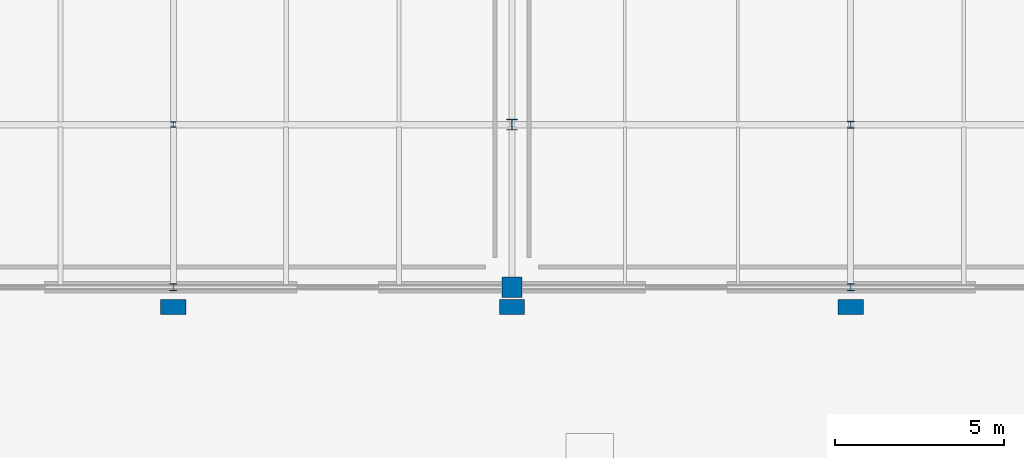
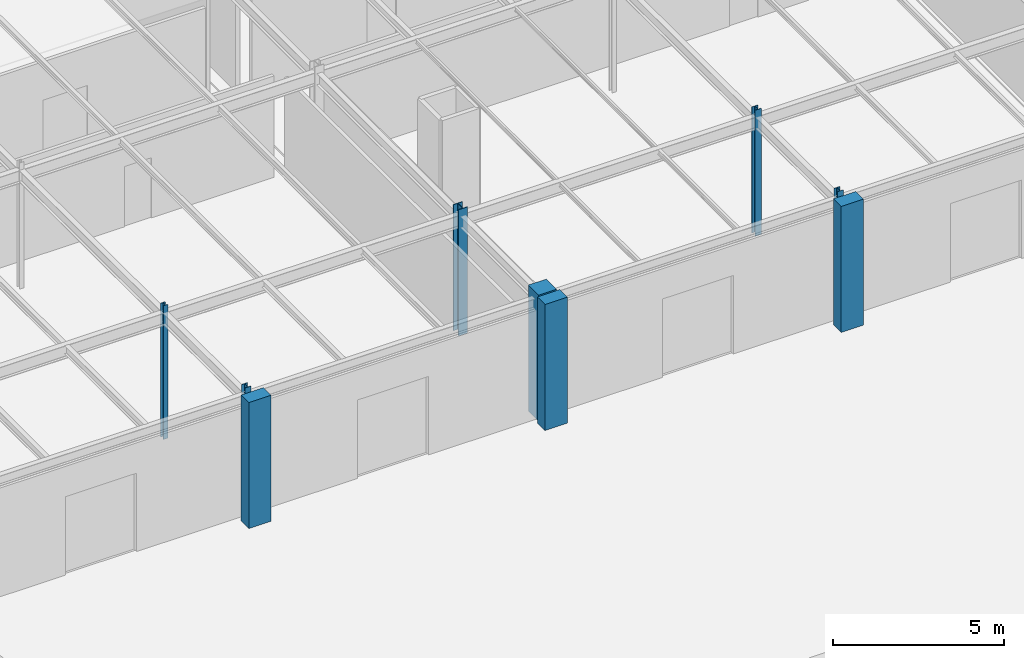
# One storey, part 20 of 119: 9 columns.
"""IFC4 building model written with IfcOpenShell, lengths in metres."""

from ifc_helpers import new_model, si_unit, derived_unit, direction, frame, origin, origin_2d_with_axis, place, context, subcontext, project, spatial, rectangle, i_section, extrude, material, material_profile, profile_set, type_object, element, save


model = new_model("IFC4")

# Units and contexts
model_context = context("Model", 3, precision=1e-05, world=origin(), true_north=direction((0.0, 1.0)))
body_context = subcontext(model_context, "Body", "Model", "MODEL_VIEW")
ifc_project = project(units=[si_unit("LENGTHUNIT", "METRE"), si_unit("AREAUNIT", "SQUARE_METRE"), si_unit("VOLUMEUNIT", "CUBIC_METRE"), si_unit("PLANEANGLEUNIT", "RADIAN"), si_unit("MASSUNIT", "GRAM", prefix="KILO"), derived_unit("THERMALTRANSMITTANCEUNIT", [(si_unit("POWERUNIT", "WATT"), 1), (si_unit("LENGTHUNIT", "METRE"), -2), (si_unit("THERMODYNAMICTEMPERATUREUNIT", "KELVIN"), -1)])], contexts=[model_context])

# Site, building, storey
site_placement = place(None, origin())
site = spatial("IfcSite", under=ifc_project, at=site_placement, CompositionType="ELEMENT")
building_placement = place(site_placement, origin())
building = spatial("IfcBuilding", under=site, at=building_placement, Name="Cinnabar Yard Market Hall", CompositionType="ELEMENT")
storey_placement = place(building_placement, origin())
storey = spatial("IfcBuildingStorey", under=building, at=storey_placement, Name="L00", CompositionType="ELEMENT", Elevation=0.0)

# Columns
ifc_material_1 = material(Name="Steel Grade 350 (350 MPa)", Category="steel")
ifc_material_profile_1 = material_profile(ifc_material_1, i_section(OverallWidth=0.311279296875, OverallDepth=0.3271484375, WebThickness=0.015625, FlangeThickness=0.02490234375, FilletRadius=0.0166015625, at=origin_2d_with_axis()), Name="310UC158")
ifc_profile_set_1 = profile_set([ifc_material_profile_1], Name="Steel Grade 350 (350 MPa)")
column_type_1 = type_object("IfcColumnType", Name="COL-C06", PredefinedType="COLUMN", material=ifc_profile_set_1)
column_1_placement = place(storey_placement, frame((86.0, 112.800048828125, 0.0), z_axis=(0.0, 0.0, 1.0), x_axis=(1.0, 0.0, 0.0)))
element("IfcColumn", 1, at=column_1_placement, inside=storey, type_object=column_type_1, Name="Wing Column V3-03-02 L00", PredefinedType="COLUMN", context=body_context, shape_type="SweptSolid", body=[
    extrude(i_section(OverallWidth=0.311279296875, OverallDepth=0.3271484375, WebThickness=0.015625, FlangeThickness=0.02490234375, FilletRadius=0.0166015625, at=origin_2d_with_axis()), origin(), (0.0, 0.0, 1.0), 4.5),
])
ifc_material_2 = material(Name="Steel Grade 300 (300 MPa)", Category="steel")
ifc_material_profile_2 = material_profile(ifc_material_2, i_section(OverallWidth=0.203369140625, OverallDepth=0.203369140625, WebThickness=0.00732421875, FlangeThickness=0.010986328125, FilletRadius=0.011474609375, at=origin_2d_with_axis()), Name="200UC46.2")
ifc_profile_set_2 = profile_set([ifc_material_profile_2], Name="Steel Grade 300 (300 MPa)")
column_type_2 = type_object("IfcColumnType", Name="COL-C13E", PredefinedType="COLUMN", material=ifc_profile_set_2)
column_2_placement = place(storey_placement, frame((96.0, 108.0, 0.0), z_axis=(0.0, 0.0, 1.0), x_axis=(1.0, 0.0, 0.0)))
element("IfcColumn", 2, at=column_2_placement, inside=storey, type_object=column_type_2, Name="Wing Column V3-04-01 L00", PredefinedType="COLUMN", context=body_context, shape_type="SweptSolid", body=[
    extrude(i_section(OverallWidth=0.203369140625, OverallDepth=0.203369140625, WebThickness=0.00732421875, FlangeThickness=0.010986328125, FilletRadius=0.011474609375, at=origin_2d_with_axis()), origin(), (0.0, 0.0, 1.0), 4.5),
])
ifc_material_profile_3 = material_profile(ifc_material_2, i_section(OverallWidth=0.205078125, OverallDepth=0.209716796875, WebThickness=0.00927734375, FlangeThickness=0.01416015625, FilletRadius=0.011474609375, at=origin_2d_with_axis()), Name="200UC59.5")
ifc_profile_set_3 = profile_set([ifc_material_profile_3], Name="Steel Grade 300 (300 MPa)")
column_type_3 = type_object("IfcColumnType", Name="COL-C17", PredefinedType="COLUMN", material=ifc_profile_set_3)
column_3_placement = place(storey_placement, frame((96.0, 112.800048828125, 0.0), z_axis=(0.0, 0.0, 1.0), x_axis=(1.0, 0.0, 0.0)))
element("IfcColumn", 3, at=column_3_placement, inside=storey, type_object=column_type_3, Name="Wing Column V3-04-02 L00", PredefinedType="COLUMN", context=body_context, shape_type="SweptSolid", body=[
    extrude(i_section(OverallWidth=0.205078125, OverallDepth=0.209716796875, WebThickness=0.00927734375, FlangeThickness=0.01416015625, FilletRadius=0.011474609375, at=origin_2d_with_axis()), origin(), (0.0, 0.0, 1.0), 4.5),
])
ifc_material_profile_4 = material_profile(ifc_material_2, i_section(OverallWidth=0.205078125, OverallDepth=0.209716796875, WebThickness=0.00927734375, FlangeThickness=0.01416015625, FilletRadius=0.011474609375, at=origin_2d_with_axis()), Name="200UC59.5")
ifc_profile_set_4 = profile_set([ifc_material_profile_4], Name="Steel Grade 300 (300 MPa)")
column_type_4 = type_object("IfcColumnType", Name="COL-C17E", PredefinedType="COLUMN", material=ifc_profile_set_4)
column_4_placement = place(storey_placement, frame((76.0, 108.0, -0.280029296875), z_axis=(0.0, 0.0, 1.0), x_axis=(1.0, 0.0, 0.0)))
element("IfcColumn", 4, at=column_4_placement, inside=storey, type_object=column_type_4, Name="Wing Column V3-02-01 L00", PredefinedType="COLUMN", context=body_context, shape_type="SweptSolid", body=[
    extrude(i_section(OverallWidth=0.205078125, OverallDepth=0.209716796875, WebThickness=0.00927734375, FlangeThickness=0.01416015625, FilletRadius=0.011474609375, at=origin_2d_with_axis()), origin(), (0.0, 0.0, 1.0), 4.780029296875),
])
ifc_material_profile_5 = material_profile(ifc_material_2, i_section(OverallWidth=0.15283203125, OverallDepth=0.15771484375, WebThickness=0.006591796875, FlangeThickness=0.009521484375, FilletRadius=0.0087890625, at=origin_2d_with_axis()), Name="150UC30.0")
ifc_profile_set_5 = profile_set([ifc_material_profile_5], Name="Steel Grade 300 (300 MPa)")
column_type_5 = type_object("IfcColumnType", Name="COL-C18", PredefinedType="COLUMN", material=ifc_profile_set_5)
column_5_placement = place(storey_placement, frame((76.0, 112.800048828125, -0.280029296875), z_axis=(0.0, 0.0, 1.0), x_axis=(1.0, 0.0, 0.0)))
element("IfcColumn", 5, at=column_5_placement, inside=storey, type_object=column_type_5, Name="Wing Column V3-02-02 L00", PredefinedType="COLUMN", context=body_context, shape_type="SweptSolid", body=[
    extrude(i_section(OverallWidth=0.15283203125, OverallDepth=0.15771484375, WebThickness=0.006591796875, FlangeThickness=0.009521484375, FilletRadius=0.0087890625, at=origin_2d_with_axis()), origin(), (0.0, 0.0, 1.0), 4.780029296875),
])
ifc_material_3 = material(Name="Concrete 40 MPa", Category="concrete")
ifc_material_profile_6 = material_profile(ifc_material_3, rectangle(XDim=0.75, YDim=0.449951171875, at=origin_2d_with_axis()), Name="RC-750x450")
ifc_profile_set_6 = profile_set([ifc_material_profile_6], Name="Concrete 40 MPa")
column_type_6 = type_object("IfcColumnType", Name="COL-PIL1E", PredefinedType="PILASTER", material=ifc_profile_set_6)
for number, where, z_axis, x_axis, name in (
    (6, (76.0, 107.419921875, 0.0), (0.0, 0.0, 1.0), (1.0, 0.0, 0.0), "Engaged Pilaster 01 L00"),
    (7, (86.0, 107.419921875, 0.0), (0.0, 0.0, 1.0), (1.0, 0.0, 0.0), "Engaged Pilaster 02 L00"),
    (8, (96.0, 107.419921875, 0.0), (0.0, 0.0, 1.0), (1.0, 0.0, 0.0), "Engaged Pilaster 03 L00"),
):
    element("IfcColumn", number, at=place(storey_placement, frame(where, z_axis=z_axis, x_axis=x_axis)), inside=storey, type_object=column_type_6, Name=name, PredefinedType="PILASTER", context=body_context, shape_type="SweptSolid", body=[
        extrude(rectangle(XDim=0.75, YDim=0.449951171875, at=origin_2d_with_axis()), origin(), (0.0, 0.0, 1.0), 4.5),
    ])
ifc_material_profile_7 = material_profile(ifc_material_3, rectangle(XDim=0.60009765625, YDim=0.60009765625, at=origin_2d_with_axis()), Name="RC-600x600")
ifc_profile_set_7 = profile_set([ifc_material_profile_7], Name="Concrete 40 MPa")
column_type_7 = type_object("IfcColumnType", Name="COL-RC2E", PredefinedType="COLUMN", material=ifc_profile_set_7)
column_6_placement = place(storey_placement, frame((86.0, 108.0, 0.0), z_axis=(0.0, 0.0, 1.0), x_axis=(1.0, 0.0, 0.0)))
element("IfcColumn", 9, at=column_6_placement, inside=storey, type_object=column_type_7, Name="Wing Column V3-03-01 L00", PredefinedType="COLUMN", context=body_context, shape_type="SweptSolid", body=[
    extrude(rectangle(XDim=0.60009765625, YDim=0.60009765625, at=origin_2d_with_axis()), origin(), (0.0, 0.0, 1.0), 4.5),
])

save(model, "model.ifc")
